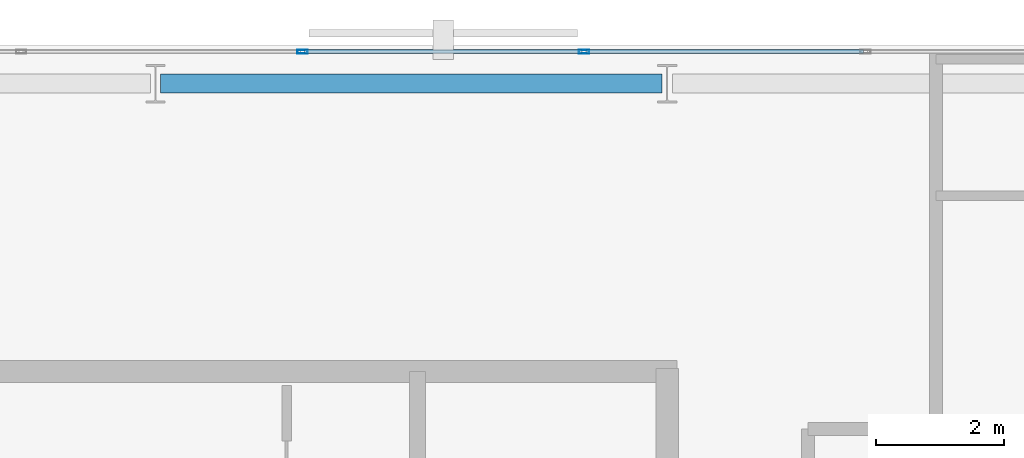
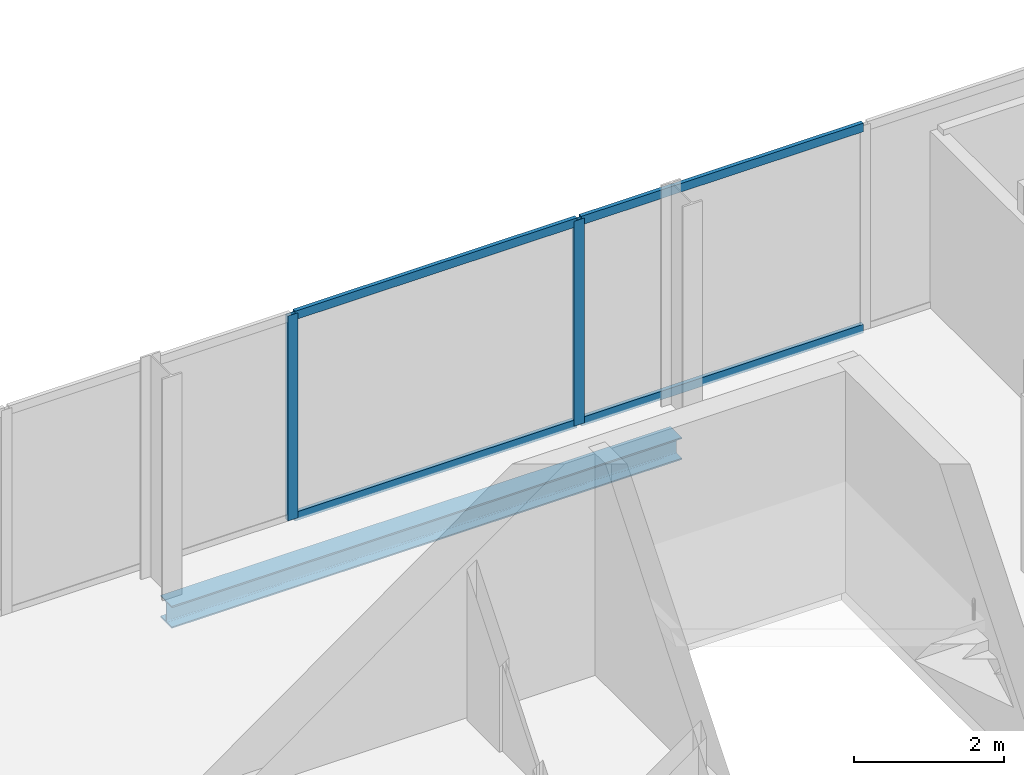
# One storey, part 24 of 32: 6 members, 1 beam, 1 element without a shape of its own.
"""IFC4 building model written with IfcOpenShell, lengths in metres."""

from ifc_helpers import new_model, si_unit, direction, frame, origin, origin_2d, place, context, subcontext, project, spatial, hollow_rectangle, i_section, extrude, material, layer, layer_set, material_profile, profile_set, type_object, element, aggregate, save


model = new_model("IFC4")

# Units and contexts
model_context = context("Model", 3, precision=1e-05, world=origin(), true_north=direction((0.0, 1.0)))
body_context = subcontext(model_context, "Body", "Model", "MODEL_VIEW")
ifc_project = project(units=[si_unit("LENGTHUNIT", "METRE"), si_unit("AREAUNIT", "SQUARE_METRE"), si_unit("VOLUMEUNIT", "CUBIC_METRE"), si_unit("PLANEANGLEUNIT", "RADIAN"), si_unit("MASSUNIT", "GRAM", prefix="KILO")], contexts=[model_context])

# Site, building, storey
site_placement = place(None, origin())
site = spatial("IfcSite", under=ifc_project, at=site_placement, CompositionType="ELEMENT")
building_placement = place(site_placement, origin())
building = spatial("IfcBuilding", under=site, at=building_placement, Name="Catumbela Crestline Tower", CompositionType="ELEMENT")
storey_placement = place(building_placement, frame((0.0, 0.0, 129.6)))
storey = spatial("IfcBuildingStorey", under=building, at=storey_placement, Name="L33", CompositionType="ELEMENT", Elevation=129.6)

# Curtain wall, members
ifc_material_1 = material(Name="Aluminium alloy AW-6060-T66", Category="aluminium")
ifc_layer = layer(ifc_material_1, 0.18, Name="Aluminium alloy AW-6060-T66")
ifc_layer_set = layer_set([ifc_layer], Name="Aluminium alloy AW-6060-T66")
curtain_wall_type = type_object("IfcCurtainWallType", Name="CWU-Z2", PredefinedType="USERDEFINED", material=ifc_layer_set)
curtain_wall_placement = place(storey_placement, origin())
curtain_wall = element("IfcCurtainWall", 1, at=curtain_wall_placement, inside=storey, type_object=curtain_wall_type, Name="L33 Unitised Curtain Wall CW-L33-E7S1", ObjectType="UNITISED", PredefinedType="USERDEFINED")
ifc_material_profile_1 = material_profile(ifc_material_1, hollow_rectangle(XDim=0.06, YDim=0.16, WallThickness=0.004, at=origin_2d()), Name="ALU 160x60x4")
ifc_profile_set_1 = profile_set([ifc_material_profile_1], Name="Aluminium alloy AW-6060-T66")
member_type_1 = type_object("IfcMemberType", Name="MUL-160X60", PredefinedType="MULLION", material=ifc_profile_set_1)
member_1_placement = place(storey_placement, frame((38.7, 47.9, 0.0), z_axis=(0.0, 0.0, 1.0), x_axis=(0.0, -1.0, 0.0)))
member_1 = element("IfcMember", 2, at=member_1_placement, type_object=member_type_1, Name="CWU-Z2 mullion 3", PredefinedType="MULLION", context=body_context, shape_type="SweptSolid", body=[
    extrude(hollow_rectangle(XDim=0.06, YDim=0.16, WallThickness=0.004, at=origin_2d()), origin(), (0.0, 0.0, 1.0), 3.33),
])
member_2_placement = place(storey_placement, frame((34.3, 47.9, 0.0), z_axis=(0.0, 0.0, 1.0), x_axis=(0.0, -1.0, 0.0)))
member_2 = element("IfcMember", 3, at=member_2_placement, type_object=member_type_1, Name="CWU-Z2 mullion 4", PredefinedType="MULLION", context=body_context, shape_type="SweptSolid", body=[
    extrude(hollow_rectangle(XDim=0.06, YDim=0.16, WallThickness=0.004, at=origin_2d()), origin(), (0.0, 0.0, 1.0), 3.33),
])

# Beam
ifc_material_2 = material(Name="Structural steel S355J2", Category="steel")
ifc_material_profile_2 = material_profile(ifc_material_2, i_section(OverallWidth=0.3, OverallDepth=0.36, WebThickness=0.0125, FlangeThickness=0.0225, FilletRadius=0.027, at=origin_2d()), Name="HEB 360")
ifc_profile_set_2 = profile_set([ifc_material_profile_2], Name="Structural steel S355J2")
beam_type = type_object("IfcBeamType", Name="BS-HEB360", PredefinedType="SPANDREL", material=ifc_profile_set_2)
beam_placement = place(storey_placement, frame((32.08, 47.4, -0.44), z_axis=(1.0, 0.0, 0.0), x_axis=(0.0, 1.0, 0.0)))
element("IfcBeam", 4, at=beam_placement, inside=storey, type_object=beam_type, Name="L33 Spandrel SP-L33-NF20", PredefinedType="SPANDREL", context=body_context, shape_type="SweptSolid", body=[
    extrude(i_section(OverallWidth=0.3, OverallDepth=0.36, WebThickness=0.0125, FlangeThickness=0.0225, FilletRadius=0.027, at=origin_2d()), origin(), (0.0, 0.0, 1.0), 7.84),
])

# Member
ifc_material_profile_3 = material_profile(ifc_material_1, hollow_rectangle(XDim=0.06, YDim=0.14, WallThickness=0.004, at=origin_2d()), Name="ALU 140x60x4")
ifc_profile_set_3 = profile_set([ifc_material_profile_3], Name="Aluminium alloy AW-6060-T66")
member_type_2 = type_object("IfcMemberType", Name="TRN-140X60", PredefinedType="USERDEFINED", material=ifc_profile_set_3)
member_3_placement = place(storey_placement, frame((43.0675, 47.9, 0.03), z_axis=(-1.0, 0.0, 0.0), x_axis=(0.0, -1.0, 0.0)))
member_3 = element("IfcMember", 5, at=member_3_placement, type_object=member_type_2, Name="CWU-Z2 transom 2.1", ObjectType="TRANSOM", PredefinedType="USERDEFINED", context=body_context, shape_type="SweptSolid", body=[
    extrude(hollow_rectangle(XDim=0.06, YDim=0.14, WallThickness=0.004, at=origin_2d()), origin(), (0.0, 0.0, 1.0), 4.335),
])

member_4_placement = place(storey_placement, frame((43.0675, 47.9, 3.3), z_axis=(-1.0, 0.0, 0.0), x_axis=(0.0, -1.0, 0.0)))
member_4 = element("IfcMember", 6, at=member_4_placement, type_object=member_type_2, Name="CWU-Z2 transom 2.2", ObjectType="TRANSOM", PredefinedType="USERDEFINED", context=body_context, shape_type="SweptSolid", body=[
    extrude(hollow_rectangle(XDim=0.06, YDim=0.14, WallThickness=0.004, at=origin_2d()), origin(), (0.0, 0.0, 1.0), 4.335),
])

member_5_placement = place(storey_placement, frame((38.6675, 47.9, 0.03), z_axis=(-1.0, 0.0, 0.0), x_axis=(0.0, -1.0, 0.0)))
member_5 = element("IfcMember", 7, at=member_5_placement, type_object=member_type_2, Name="CWU-Z2 transom 3.1", ObjectType="TRANSOM", PredefinedType="USERDEFINED", context=body_context, shape_type="SweptSolid", body=[
    extrude(hollow_rectangle(XDim=0.06, YDim=0.14, WallThickness=0.004, at=origin_2d()), origin(), (0.0, 0.0, 1.0), 4.335),
])

member_6_placement = place(storey_placement, frame((38.6675, 47.9, 3.3), z_axis=(-1.0, 0.0, 0.0), x_axis=(0.0, -1.0, 0.0)))
member_6 = element("IfcMember", 8, at=member_6_placement, type_object=member_type_2, Name="CWU-Z2 transom 3.2", ObjectType="TRANSOM", PredefinedType="USERDEFINED", context=body_context, shape_type="SweptSolid", body=[
    extrude(hollow_rectangle(XDim=0.06, YDim=0.14, WallThickness=0.004, at=origin_2d()), origin(), (0.0, 0.0, 1.0), 4.335),
])

aggregate(curtain_wall, [member_1, member_2, member_3, member_4, member_5, member_6])

save(model, "model.ifc")
